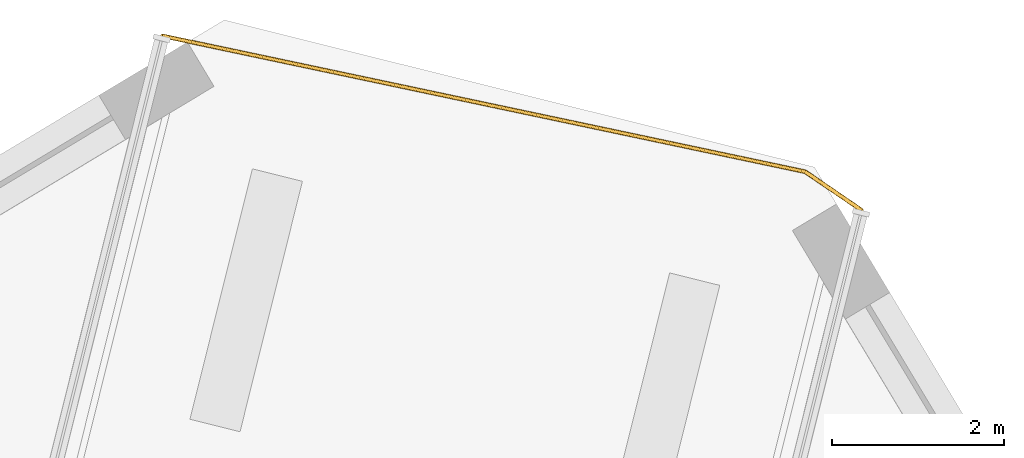
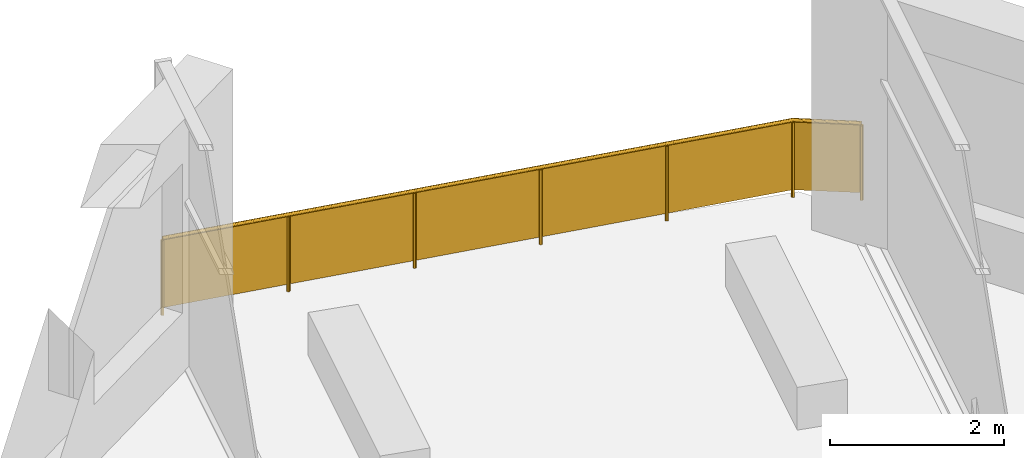
# One storey, part 13 of 14: 1 railing.
"""IFC4 building model written with IfcOpenShell, lengths in metres."""

from ifc_helpers import new_model, si_unit, direction, frame, origin, origin_2d, place, context, subcontext, project, spatial, rectangle, circle, extrude, material, type_object, element, save


model = new_model("IFC4")

# Units and contexts
model_context = context("Model", 3, precision=1e-05, world=origin(), true_north=direction((0.0, 1.0)))
body_context = subcontext(model_context, "Body", "Model", "MODEL_VIEW")
ifc_project = project(units=[si_unit("LENGTHUNIT", "METRE"), si_unit("AREAUNIT", "SQUARE_METRE"), si_unit("VOLUMEUNIT", "CUBIC_METRE"), si_unit("PLANEANGLEUNIT", "RADIAN"), si_unit("MASSUNIT", "GRAM", prefix="KILO")], contexts=[model_context])

# Site, building, storey
site_placement = place(None, origin())
site = spatial("IfcSite", under=ifc_project, at=site_placement, CompositionType="ELEMENT")
building_placement = place(site_placement, origin())
building = spatial("IfcBuilding", under=site, at=building_placement, Name="Dilmun Exchange Tower", CompositionType="ELEMENT")
storey_placement = place(building_placement, frame((0.0, 0.0, 151.699951171875)))
storey = spatial("IfcBuildingStorey", under=building, at=storey_placement, Name="L35", CompositionType="ELEMENT", Elevation=151.699951171875)

# Railing
ifc_material = material(Name="Stainless steel", Category="steel")
railing_type = type_object("IfcRailingType", Name="Terrace guard 1100 stainless steel", PredefinedType="GUARDRAIL", material=ifc_material)
railing_placement = place(storey_placement, frame((7.112548828125, 35.3203125, 0.0)))
element("IfcRailing", 1, at=railing_placement, inside=storey, type_object=railing_type, Name="Terrace guard 1", PredefinedType="GUARDRAIL", context=body_context, shape_type="SweptSolid", body=[
    extrude(circle(Radius=0.02392578125, at=origin_2d()), frame((0.0, 0.0, 1.076171875), z_axis=(0.978396225972, -0.20673854262, 0.0), x_axis=(0.20673854262, 0.978396225972, 0.0)), (0.0, 0.0, 1.0), 7.63818359375),
    extrude(rectangle(XDim=0.011962890625, YDim=0.951904296875, at=origin_2d()), frame((0.0, 0.0, 0.576171875), z_axis=(0.978396225972, -0.20673854262, 0.0), x_axis=(0.20673854262, 0.978396225972, 0.0)), (0.0, 0.0, 1.0), 7.63818359375),
    extrude(circle(Radius=0.02392578125, at=origin_2d()), frame((7.47314453125, -1.5791015625, 1.076171875), z_axis=(0.825947601645, -0.563746892973, 0.0), x_axis=(0.563746892973, 0.825947601645, 0.0)), (0.0, 0.0, 1.0), 0.794189453125),
    extrude(rectangle(XDim=0.011962890625, YDim=0.951904296875, at=origin_2d()), frame((7.47314453125, -1.5791015625, 0.576171875), z_axis=(0.825947601645, -0.563746892973, 0.0), x_axis=(0.563746892973, 0.825947601645, 0.0)), (0.0, 0.0, 1.0), 0.794189453125),
    extrude(circle(Radius=0.02099609375, at=origin_2d()), origin(), (0.0, 0.0, 1.0), 1.052001953125),
    extrude(circle(Radius=0.02099609375, at=origin_2d()), frame((1.49462890625, -0.31591796875, 0.0)), (0.0, 0.0, 1.0), 1.052001953125),
    extrude(circle(Radius=0.02099609375, at=origin_2d()), frame((2.9892578125, -0.631591796875, 0.0)), (0.0, 0.0, 1.0), 1.052001953125),
    extrude(circle(Radius=0.02099609375, at=origin_2d()), frame((4.48388671875, -0.947509765625, 0.0)), (0.0, 0.0, 1.0), 1.052001953125),
    extrude(circle(Radius=0.02099609375, at=origin_2d()), frame((5.978515625, -1.26318359375, 0.0)), (0.0, 0.0, 1.0), 1.052001953125),
    extrude(circle(Radius=0.02099609375, at=origin_2d()), frame((7.47314453125, -1.5791015625, 0.0)), (0.0, 0.0, 1.0), 1.052001953125),
    extrude(circle(Radius=0.02099609375, at=origin_2d()), frame((8.129150390625, -2.02685546875, 0.0)), (0.0, 0.0, 1.0), 1.052001953125),
])

save(model, "model.ifc")
